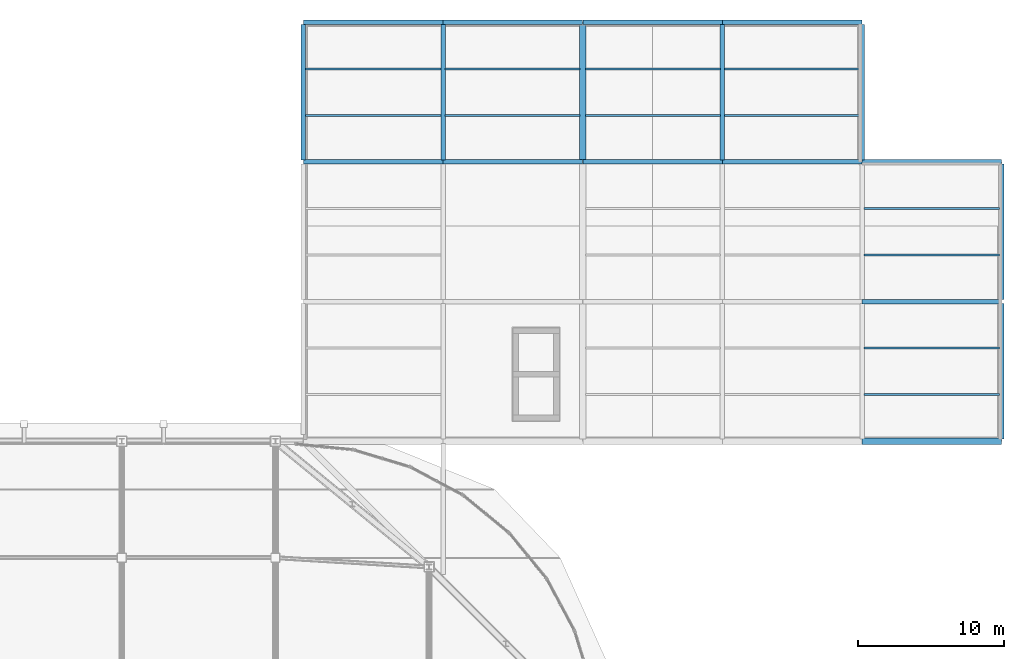
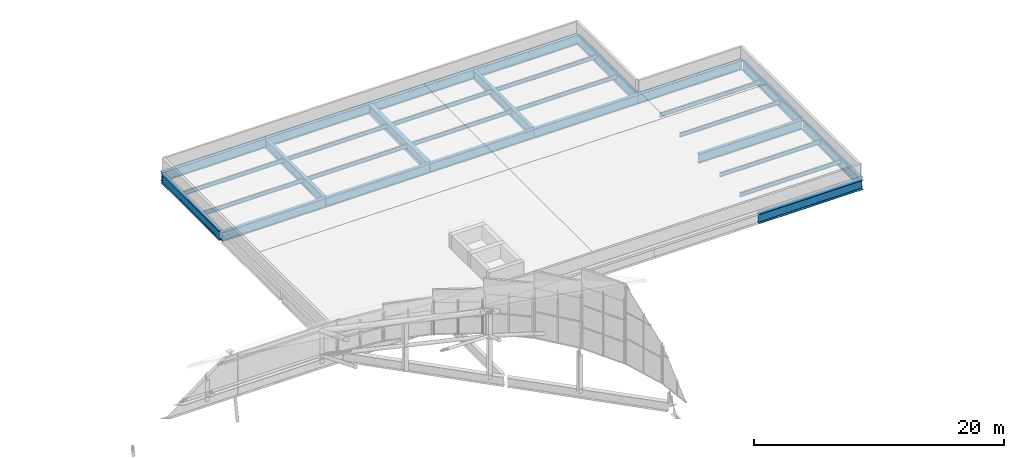
# One storey, part 31 of 42: 30 beams.
"""IFC4 building model written with IfcOpenShell, lengths in metres."""

from ifc_helpers import new_model, si_unit, direction, frame, origin, origin_2d, place, context, subcontext, project, spatial, i_section, extrude, material, material_profile, profile_set, type_object, element, save


model = new_model("IFC4")

# Units and contexts
model_context = context("Model", 3, precision=1e-05, world=origin(), true_north=direction((0.0, 1.0)))
body_context = subcontext(model_context, "Body", "Model", "MODEL_VIEW")
ifc_project = project(units=[si_unit("LENGTHUNIT", "METRE"), si_unit("AREAUNIT", "SQUARE_METRE"), si_unit("VOLUMEUNIT", "CUBIC_METRE"), si_unit("PLANEANGLEUNIT", "RADIAN"), si_unit("MASSUNIT", "GRAM", prefix="KILO")], contexts=[model_context])

# Site, building, storey
site_placement = place(None, origin())
site = spatial("IfcSite", under=ifc_project, at=site_placement, CompositionType="ELEMENT")
building_placement = place(site_placement, origin())
building = spatial("IfcBuilding", under=site, at=building_placement, Name="Caelomonte Colonnade Arena", CompositionType="ELEMENT")
storey_placement = place(building_placement, frame((0.0, 0.0, 28.199951171875)))
storey = spatial("IfcBuildingStorey", under=building, at=storey_placement, Name="RF", CompositionType="ELEMENT", Elevation=28.199951171875)

# Beams
ifc_material = material(Name="Wide-flange steel ASTM A992 Grade 50", Category="steel")
ifc_material_profile_1 = material_profile(ifc_material, i_section(OverallWidth=0.418212890625, OverallDepth=0.927001953125, WebThickness=0.019287109375, FlangeThickness=0.031982421875, FilletRadius=0.024169921875, at=origin_2d()), Name="W36X231")
ifc_profile_set_1 = profile_set([ifc_material_profile_1], Name="Wide-flange steel ASTM A992 Grade 50")
beam_type_1 = type_object("IfcBeamType", Name="STR-BM-EAVES1", PredefinedType="SPANDREL", material=ifc_profile_set_1)
beam_1_placement = place(storey_placement, frame((182.405029296875, 115.199951171875, -0.743408203125), z_axis=(1.0, 0.0, 0.0), x_axis=(0.0, 1.0, 0.0)))
element("IfcBeam", 1, at=beam_1_placement, inside=storey, type_object=beam_type_1, Name="RF girder BMX-RF-1824-1152", PredefinedType="SPANDREL", context=body_context, shape_type="SweptSolid", body=[
    extrude(i_section(OverallWidth=0.418212890625, OverallDepth=0.927001953125, WebThickness=0.019287109375, FlangeThickness=0.031982421875, FilletRadius=0.024169921875, at=origin_2d()), origin(), (0.0, 0.0, 1.0), 9.590087890625),
])
beam_2_placement = place(storey_placement, frame((163.199951171875, 134.5458984375, -0.743408203125), z_axis=(0.0, 1.0, 0.0), x_axis=(-1.0, 0.0, 0.0)))
element("IfcBeam", 2, at=beam_2_placement, inside=storey, type_object=beam_type_1, Name="RF girder BMY-RF-1632-1344", PredefinedType="SPANDREL", context=body_context, shape_type="SweptSolid", body=[
    extrude(i_section(OverallWidth=0.418212890625, OverallDepth=0.927001953125, WebThickness=0.019287109375, FlangeThickness=0.031982421875, FilletRadius=0.024169921875, at=origin_2d()), origin(), (0.0, 0.0, 1.0), 9.30810546875),
])
ifc_material_profile_2 = material_profile(ifc_material, i_section(OverallWidth=0.3046875, OverallDepth=0.914306640625, WebThickness=0.0166015625, FlangeThickness=0.02587890625, FilletRadius=0.020263671875, at=origin_2d()), Name="W36X160")
ifc_profile_set_2 = profile_set([ifc_material_profile_2], Name="Wide-flange steel ASTM A992 Grade 50")
beam_type_2 = type_object("IfcBeamType", Name="STR-BM-EAVES3", PredefinedType="SPANDREL", material=ifc_profile_set_2)
for number, where, z_axis, x_axis, name in (
    (3, (182.405029296875, 124.800048828125, -0.737060546875), (1.0, 0.0, 0.0), (0.0, 1.0, 0.0), "RF girder BMX-RF-1824-1248"),
    (4, (144.0048828125, 134.39990234375, -0.737060546875), (1.0, 0.0, 0.0), (0.0, 1.0, 0.0), "RF girder BMX-RF-1440-1344"),
    (5, (153.60498046875, 134.39990234375, -0.737060546875), (1.0, 0.0, 0.0), (0.0, 1.0, 0.0), "RF girder BMX-RF-1536-1344"),
):
    element("IfcBeam", number, at=place(storey_placement, frame(where, z_axis=z_axis, x_axis=x_axis)), inside=storey, type_object=beam_type_2, Name=name, PredefinedType="SPANDREL", context=body_context, shape_type="SweptSolid", body=[
        extrude(i_section(OverallWidth=0.3046875, OverallDepth=0.914306640625, WebThickness=0.0166015625, FlangeThickness=0.02587890625, FilletRadius=0.020263671875, at=origin_2d()), origin(), (0.0, 0.0, 1.0), 9.590087890625),
    ])
beam_3_placement = place(storey_placement, frame((163.204833984375, 134.39990234375, -0.737060546875), z_axis=(1.0, 0.0, 0.0), x_axis=(0.0, 1.0, 0.0)))
element("IfcBeam", 6, at=beam_3_placement, inside=storey, type_object=beam_type_2, Name="RF girder BMX-RF-1632-1344", PredefinedType="SPANDREL", context=body_context, shape_type="SweptSolid", body=[
    extrude(i_section(OverallWidth=0.3046875, OverallDepth=0.914306640625, WebThickness=0.0166015625, FlangeThickness=0.02587890625, FilletRadius=0.020263671875, at=origin_2d()), origin(), (0.0, 0.0, 1.0), 9.59033203125),
])
for number, where, z_axis, x_axis, name in (
    (7, (172.804931640625, 134.39990234375, -0.737060546875), (1.0, 0.0, 0.0), (0.0, 1.0, 0.0), "RF girder BMX-RF-1728-1344"),
    (8, (182.405029296875, 134.39990234375, -0.737060546875), (1.0, 0.0, 0.0), (0.0, 1.0, 0.0), "RF girder BMX-RF-1824-1344"),
    (9, (144.0048828125, 144.0, -0.737060546875), (1.0, 0.0, 0.0), (0.0, 1.0, 0.0), "RF girder BMX-RF-1440-1440"),
    (10, (153.60498046875, 144.0, -0.737060546875), (1.0, 0.0, 0.0), (0.0, 1.0, 0.0), "RF girder BMX-RF-1536-1440"),
):
    element("IfcBeam", number, at=place(storey_placement, frame(where, z_axis=z_axis, x_axis=x_axis)), inside=storey, type_object=beam_type_2, Name=name, PredefinedType="SPANDREL", context=body_context, shape_type="SweptSolid", body=[
        extrude(i_section(OverallWidth=0.3046875, OverallDepth=0.914306640625, WebThickness=0.0166015625, FlangeThickness=0.02587890625, FilletRadius=0.020263671875, at=origin_2d()), origin(), (0.0, 0.0, 1.0), 9.590087890625),
    ])
beam_4_placement = place(storey_placement, frame((163.204833984375, 144.0, -0.737060546875), z_axis=(1.0, 0.0, 0.0), x_axis=(0.0, 1.0, 0.0)))
element("IfcBeam", 11, at=beam_4_placement, inside=storey, type_object=beam_type_2, Name="RF girder BMX-RF-1632-1440", PredefinedType="SPANDREL", context=body_context, shape_type="SweptSolid", body=[
    extrude(i_section(OverallWidth=0.3046875, OverallDepth=0.914306640625, WebThickness=0.0166015625, FlangeThickness=0.02587890625, FilletRadius=0.020263671875, at=origin_2d()), origin(), (0.0, 0.0, 1.0), 9.59033203125),
])
beam_5_placement = place(storey_placement, frame((172.804931640625, 144.0, -0.737060546875), z_axis=(1.0, 0.0, 0.0), x_axis=(0.0, 1.0, 0.0)))
element("IfcBeam", 12, at=beam_5_placement, inside=storey, type_object=beam_type_2, Name="RF girder BMX-RF-1728-1440", PredefinedType="SPANDREL", context=body_context, shape_type="SweptSolid", body=[
    extrude(i_section(OverallWidth=0.3046875, OverallDepth=0.914306640625, WebThickness=0.0166015625, FlangeThickness=0.02587890625, FilletRadius=0.020263671875, at=origin_2d()), origin(), (0.0, 0.0, 1.0), 9.590087890625),
])
for number, where, z_axis, x_axis, name in (
    (13, (144.0, 134.5458984375, -0.737060546875), (0.0, 1.0, 0.0), (-1.0, 0.0, 0.0), "RF girder BMY-RF-1440-1344"),
    (14, (153.60009765625, 134.5458984375, -0.737060546875), (0.0, 1.0, 0.0), (-1.0, 0.0, 0.0), "RF girder BMY-RF-1536-1344"),
    (15, (172.800048828125, 134.5458984375, -0.737060546875), (0.0, 1.0, 0.0), (-1.0, 0.0, 0.0), "RF girder BMY-RF-1728-1344"),
    (16, (182.39990234375, 134.5458984375, -0.737060546875), (0.0, 1.0, 0.0), (-1.0, 0.0, 0.0), "RF girder BMY-RF-1824-1344"),
    (17, (192.0, 115.345947265625, -0.737060546875), (0.0, 1.0, 0.0), (-1.0, 0.0, 0.0), "RF girder BMY-RF-1920-1152"),
):
    element("IfcBeam", number, at=place(storey_placement, frame(where, z_axis=z_axis, x_axis=x_axis)), inside=storey, type_object=beam_type_2, Name=name, PredefinedType="SPANDREL", context=body_context, shape_type="SweptSolid", body=[
        extrude(i_section(OverallWidth=0.3046875, OverallDepth=0.914306640625, WebThickness=0.0166015625, FlangeThickness=0.02587890625, FilletRadius=0.020263671875, at=origin_2d()), origin(), (0.0, 0.0, 1.0), 9.30810546875),
    ])
beam_6_placement = place(storey_placement, frame((192.0, 124.94580078125, -0.737060546875), z_axis=(0.0, 1.0, 0.0), x_axis=(-1.0, 0.0, 0.0)))
element("IfcBeam", 18, at=beam_6_placement, inside=storey, type_object=beam_type_2, Name="RF girder BMY-RF-1920-1248", PredefinedType="SPANDREL", context=body_context, shape_type="SweptSolid", body=[
    extrude(i_section(OverallWidth=0.3046875, OverallDepth=0.914306640625, WebThickness=0.0166015625, FlangeThickness=0.02587890625, FilletRadius=0.020263671875, at=origin_2d()), origin(), (0.0, 0.0, 1.0), 9.308349609375),
])
ifc_material_profile_3 = material_profile(ifc_material, i_section(OverallWidth=0.140380859375, OverallDepth=0.40380859375, WebThickness=0.007080078125, FlangeThickness=0.01123046875, FilletRadius=0.01025390625, at=origin_2d()), Name="W16X31")
ifc_profile_set_3 = profile_set([ifc_material_profile_3], Name="Wide-flange steel ASTM A992 Grade 50")
beam_type_3 = type_object("IfcBeamType", Name="STR-BM-JOIST16B", PredefinedType="JOIST", material=ifc_profile_set_3)
for number, where, z_axis, x_axis, name in (
    (19, (144.1474609375, 137.60009765625, -0.48193359375), (1.0, 0.0, 0.0), (0.0, 1.0, 0.0), "RF secondary joist 1"),
    (20, (144.1474609375, 140.800048828125, -0.48193359375), (1.0, 0.0, 0.0), (0.0, 1.0, 0.0), "RF secondary joist 2"),
):
    element("IfcBeam", number, at=place(storey_placement, frame(where, z_axis=z_axis, x_axis=x_axis)), inside=storey, type_object=beam_type_3, Name=name, PredefinedType="JOIST", context=body_context, shape_type="SweptSolid", body=[
        extrude(i_section(OverallWidth=0.140380859375, OverallDepth=0.40380859375, WebThickness=0.007080078125, FlangeThickness=0.01123046875, FilletRadius=0.01025390625, at=origin_2d()), origin(), (0.0, 0.0, 1.0), 9.30517578125),
    ])
for number, where, z_axis, x_axis, name in (
    (21, (153.747314453125, 137.60009765625, -0.48193359375), (1.0, 0.0, 0.0), (0.0, 1.0, 0.0), "RF secondary joist 1"),
    (22, (153.747314453125, 140.800048828125, -0.48193359375), (1.0, 0.0, 0.0), (0.0, 1.0, 0.0), "RF secondary joist 2"),
    (23, (163.404052734375, 137.60009765625, -0.48193359375), (1.0, 0.0, 0.0), (0.0, 1.0, 0.0), "RF secondary joist 1"),
    (24, (163.404052734375, 140.800048828125, -0.48193359375), (1.0, 0.0, 0.0), (0.0, 1.0, 0.0), "RF secondary joist 2"),
):
    element("IfcBeam", number, at=place(storey_placement, frame(where, z_axis=z_axis, x_axis=x_axis)), inside=storey, type_object=beam_type_3, Name=name, PredefinedType="JOIST", context=body_context, shape_type="SweptSolid", body=[
        extrude(i_section(OverallWidth=0.140380859375, OverallDepth=0.40380859375, WebThickness=0.007080078125, FlangeThickness=0.01123046875, FilletRadius=0.01025390625, at=origin_2d()), origin(), (0.0, 0.0, 1.0), 9.24853515625),
    ])
for number, where, z_axis, x_axis, name in (
    (25, (172.947509765625, 137.60009765625, -0.48193359375), (1.0, 0.0, 0.0), (0.0, 1.0, 0.0), "RF secondary joist 1"),
    (26, (172.947509765625, 140.800048828125, -0.48193359375), (1.0, 0.0, 0.0), (0.0, 1.0, 0.0), "RF secondary joist 2"),
    (27, (182.54736328125, 118.39990234375, -0.48193359375), (1.0, 0.0, 0.0), (0.0, 1.0, 0.0), "RF secondary joist 1"),
    (28, (182.54736328125, 121.60009765625, -0.48193359375), (1.0, 0.0, 0.0), (0.0, 1.0, 0.0), "RF secondary joist 2"),
    (29, (182.54736328125, 128.0, -0.48193359375), (1.0, 0.0, 0.0), (0.0, 1.0, 0.0), "RF secondary joist 1"),
    (30, (182.54736328125, 131.199951171875, -0.48193359375), (1.0, 0.0, 0.0), (0.0, 1.0, 0.0), "RF secondary joist 2"),
):
    element("IfcBeam", number, at=place(storey_placement, frame(where, z_axis=z_axis, x_axis=x_axis)), inside=storey, type_object=beam_type_3, Name=name, PredefinedType="JOIST", context=body_context, shape_type="SweptSolid", body=[
        extrude(i_section(OverallWidth=0.140380859375, OverallDepth=0.40380859375, WebThickness=0.007080078125, FlangeThickness=0.01123046875, FilletRadius=0.01025390625, at=origin_2d()), origin(), (0.0, 0.0, 1.0), 9.30517578125),
    ])

save(model, "model.ifc")
